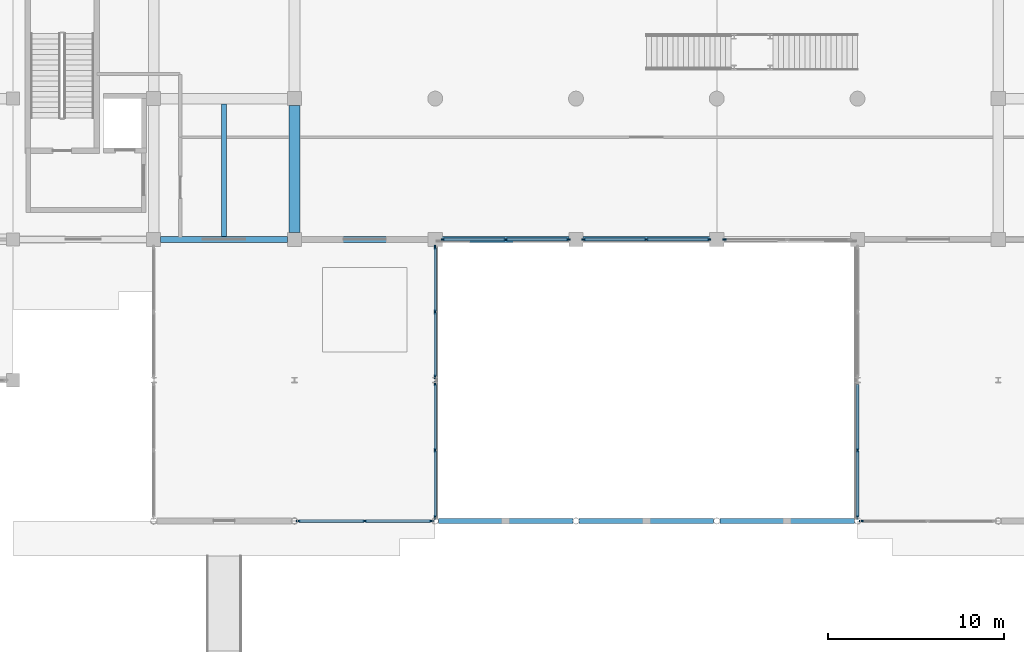
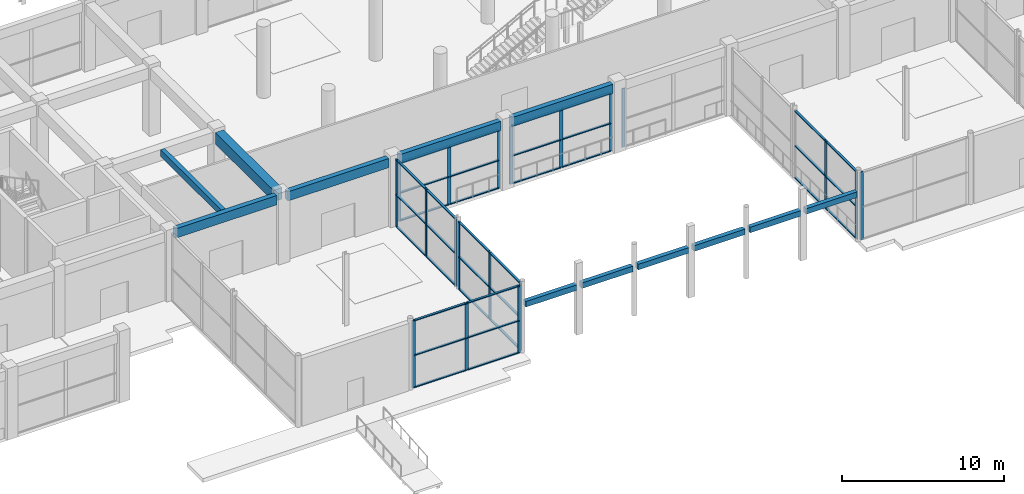
# One storey, part 18 of 86: 55 members, 12 beams, 8 elements without a shape of their own.
"""IFC4 building model written with IfcOpenShell, lengths in metres."""

from ifc_helpers import new_model, si_unit, direction, frame, origin, origin_2d, place, context, subcontext, project, spatial, rectangle, extrude, material, material_profile, profile_set, type_object, element, aggregate, save


model = new_model("IFC4")

# Units and contexts
model_context = context("Model", 3, precision=1e-05, world=origin(), true_north=direction((0.0, 1.0)))
body_context = subcontext(model_context, "Body", "Model", "MODEL_VIEW")
ifc_project = project(units=[si_unit("LENGTHUNIT", "METRE"), si_unit("AREAUNIT", "SQUARE_METRE"), si_unit("VOLUMEUNIT", "CUBIC_METRE"), si_unit("PLANEANGLEUNIT", "RADIAN"), si_unit("MASSUNIT", "GRAM", prefix="KILO")], contexts=[model_context])

# Site, building, storey
site_placement = place(None, origin())
site = spatial("IfcSite", under=ifc_project, at=site_placement, CompositionType="ELEMENT")
building_placement = place(site_placement, origin())
building = spatial("IfcBuilding", under=site, at=building_placement, Name="Kenh Van Central Station", CompositionType="ELEMENT")
storey_placement = place(building_placement, origin())
storey = spatial("IfcBuildingStorey", under=building, at=storey_placement, Name="L00", CompositionType="ELEMENT", Elevation=0.0)

# Beam
ifc_material_1 = material(Name="Concrete C35/45", Category="concrete")
ifc_material_profile_1 = material_profile(ifc_material_1, rectangle(XDim=0.60009765625, YDim=0.85009765625, at=origin_2d()), Name="RC 600x850")
ifc_profile_set_1 = profile_set([ifc_material_profile_1], Name="Concrete C35/45")
beam_type_1 = type_object("IfcBeamType", Name="BM-RC-600x850", PredefinedType="BEAM", material=ifc_profile_set_1)
beam_1_placement = place(storey_placement, frame((64.0, 16.389892578125, 4.695068359375), z_axis=(0.0, 1.0, 0.0), x_axis=(-1.0, 0.0, 0.0)))
element("IfcBeam", 1, at=beam_1_placement, inside=storey, type_object=beam_type_1, Name="L00 beam 0504", PredefinedType="BEAM", context=body_context, shape_type="SweptSolid", body=[
    extrude(rectangle(XDim=0.60009765625, YDim=0.85009765625, at=origin_2d()), origin(), (0.0, 0.0, 1.0), 7.22021484375),
])

# Curtain wall, members
ifc_material_2 = material(Name="Champagne anodised aluminium", Category="aluminium")
curtain_wall_type_1 = type_object("IfcCurtainWallType", Name="CW-RETL-A", PredefinedType="NOTDEFINED", material=ifc_material_2)
curtain_wall_1_placement = place(storey_placement, origin())
curtain_wall_1 = element("IfcCurtainWall", 2, at=curtain_wall_1_placement, inside=storey, type_object=curtain_wall_type_1, Name="L00 curtain wall 038", PredefinedType="NOTDEFINED")
ifc_material_profile_2 = material_profile(ifc_material_2, rectangle(XDim=0.0849609375, YDim=0.23193359375, at=origin_2d()), Name="AL 85x232")
ifc_profile_set_2 = profile_set([ifc_material_profile_2], Name="Champagne anodised aluminium")
member_type_1 = type_object("IfcMemberType", Name="CWM-65x160", PredefinedType="MULLION", material=ifc_profile_set_2)
member_1_placement = place(storey_placement, frame((64.22021484375, 0.0, 0.0), z_axis=(0.0, 0.0, 1.0), x_axis=(0.0, 1.0, 0.0)))
member_1 = element("IfcMember", 3, at=member_1_placement, type_object=member_type_1, Name="CW-05 mullion 1", PredefinedType="MULLION", context=body_context, shape_type="SweptSolid", body=[
    extrude(rectangle(XDim=0.0849609375, YDim=0.23193359375, at=origin_2d()), origin(), (0.0, 0.0, 1.0), 5.10009765625),
])
member_2_placement = place(storey_placement, frame((68.0, 0.0, 0.0), z_axis=(0.0, 0.0, 1.0), x_axis=(0.0, 1.0, 0.0)))
member_2 = element("IfcMember", 4, at=member_2_placement, type_object=member_type_1, Name="CW-05 mullion 2", PredefinedType="MULLION", context=body_context, shape_type="SweptSolid", body=[
    extrude(rectangle(XDim=0.0849609375, YDim=0.23193359375, at=origin_2d()), origin(), (0.0, 0.0, 1.0), 5.10009765625),
])
member_3_placement = place(storey_placement, frame((71.77978515625, 0.0, 0.0), z_axis=(0.0, 0.0, 1.0), x_axis=(0.0, 1.0, 0.0)))
member_3 = element("IfcMember", 5, at=member_3_placement, type_object=member_type_1, Name="CW-05 mullion 3", PredefinedType="MULLION", context=body_context, shape_type="SweptSolid", body=[
    extrude(rectangle(XDim=0.0849609375, YDim=0.23193359375, at=origin_2d()), origin(), (0.0, 0.0, 1.0), 5.10009765625),
])

curtain_wall_2_placement = place(storey_placement, origin())
curtain_wall_2 = element("IfcCurtainWall", 6, at=curtain_wall_2_placement, inside=storey, type_object=curtain_wall_type_1, Name="L00 curtain wall 041", PredefinedType="NOTDEFINED")
member_4_placement = place(storey_placement, frame((72.0, 0.22021484375, 0.0), z_axis=(0.0, 0.0, 1.0), x_axis=(-1.0, 0.0, 0.0)))
member_4 = element("IfcMember", 7, at=member_4_placement, type_object=member_type_1, Name="CW-05 mullion 1", PredefinedType="MULLION", context=body_context, shape_type="SweptSolid", body=[
    extrude(rectangle(XDim=0.0849609375, YDim=0.23193359375, at=origin_2d()), origin(), (0.0, 0.0, 1.0), 5.10009765625),
])
member_5_placement = place(storey_placement, frame((72.0, 4.013916015625, 0.0), z_axis=(0.0, 0.0, 1.0), x_axis=(-1.0, 0.0, 0.0)))
member_5 = element("IfcMember", 8, at=member_5_placement, type_object=member_type_1, Name="CW-05 mullion 2", PredefinedType="MULLION", context=body_context, shape_type="SweptSolid", body=[
    extrude(rectangle(XDim=0.0849609375, YDim=0.23193359375, at=origin_2d()), origin(), (0.0, 0.0, 1.0), 5.10009765625),
])
member_6_placement = place(storey_placement, frame((72.0, 7.8076171875, 0.0), z_axis=(0.0, 0.0, 1.0), x_axis=(-1.0, 0.0, 0.0)))
member_6 = element("IfcMember", 9, at=member_6_placement, type_object=member_type_1, Name="CW-05 mullion 3", PredefinedType="MULLION", context=body_context, shape_type="SweptSolid", body=[
    extrude(rectangle(XDim=0.0849609375, YDim=0.23193359375, at=origin_2d()), origin(), (0.0, 0.0, 1.0), 5.10009765625),
])

curtain_wall_3_placement = place(storey_placement, origin())
curtain_wall_3 = element("IfcCurtainWall", 10, at=curtain_wall_3_placement, inside=storey, type_object=curtain_wall_type_1, Name="L00 curtain wall 042", PredefinedType="NOTDEFINED")
member_7_placement = place(storey_placement, frame((72.0, 8.1923828125, 0.0), z_axis=(0.0, 0.0, 1.0), x_axis=(-1.0, 0.0, 0.0)))
member_7 = element("IfcMember", 11, at=member_7_placement, type_object=member_type_1, Name="CW-05 mullion 1", PredefinedType="MULLION", context=body_context, shape_type="SweptSolid", body=[
    extrude(rectangle(XDim=0.0849609375, YDim=0.23193359375, at=origin_2d()), origin(), (0.0, 0.0, 1.0), 5.10009765625),
])
member_8_placement = place(storey_placement, frame((72.0, 11.875, 0.0), z_axis=(0.0, 0.0, 1.0), x_axis=(-1.0, 0.0, 0.0)))
member_8 = element("IfcMember", 12, at=member_8_placement, type_object=member_type_1, Name="CW-05 mullion 2", PredefinedType="MULLION", context=body_context, shape_type="SweptSolid", body=[
    extrude(rectangle(XDim=0.0849609375, YDim=0.23193359375, at=origin_2d()), origin(), (0.0, 0.0, 1.0), 5.10009765625),
])
member_9_placement = place(storey_placement, frame((72.0, 15.5576171875, 0.0), z_axis=(0.0, 0.0, 1.0), x_axis=(-1.0, 0.0, 0.0)))
member_9 = element("IfcMember", 13, at=member_9_placement, type_object=member_type_1, Name="CW-05 mullion 3", PredefinedType="MULLION", context=body_context, shape_type="SweptSolid", body=[
    extrude(rectangle(XDim=0.0849609375, YDim=0.23193359375, at=origin_2d()), origin(), (0.0, 0.0, 1.0), 5.10009765625),
])

# Curtain wall, member
curtain_wall_4_placement = place(storey_placement, origin())
curtain_wall_4 = element("IfcCurtainWall", 14, at=curtain_wall_4_placement, inside=storey, type_object=curtain_wall_type_1, Name="L00 curtain wall 043", PredefinedType="NOTDEFINED")
member_10_placement = place(storey_placement, frame((96.22021484375, 0.0, 0.0), z_axis=(0.0, 0.0, 1.0), x_axis=(0.0, 1.0, 0.0)))
member_10 = element("IfcMember", 15, at=member_10_placement, type_object=member_type_1, Name="CW-05 mullion 1", PredefinedType="MULLION", context=body_context, shape_type="SweptSolid", body=[
    extrude(rectangle(XDim=0.0849609375, YDim=0.23193359375, at=origin_2d()), origin(), (0.0, 0.0, 1.0), 5.10009765625),
])
aggregate(curtain_wall_4, [member_10])

# Curtain wall, members
curtain_wall_5_placement = place(storey_placement, origin())
curtain_wall_5 = element("IfcCurtainWall", 16, at=curtain_wall_5_placement, inside=storey, type_object=curtain_wall_type_1, Name="L00 curtain wall 045", PredefinedType="NOTDEFINED")
member_11_placement = place(storey_placement, frame((96.0, 4.013916015625, 0.0), z_axis=(0.0, 0.0, 1.0), x_axis=(1.0, 0.0, 0.0)))
member_11 = element("IfcMember", 17, at=member_11_placement, type_object=member_type_1, Name="CW-05 mullion 2", PredefinedType="MULLION", context=body_context, shape_type="SweptSolid", body=[
    extrude(rectangle(XDim=0.0849609375, YDim=0.23193359375, at=origin_2d()), origin(), (0.0, 0.0, 1.0), 5.10009765625),
])
member_12_placement = place(storey_placement, frame((96.0, 0.22021484375, 0.0), z_axis=(0.0, 0.0, 1.0), x_axis=(1.0, 0.0, 0.0)))
member_12 = element("IfcMember", 18, at=member_12_placement, type_object=member_type_1, Name="CW-05 mullion 3", PredefinedType="MULLION", context=body_context, shape_type="SweptSolid", body=[
    extrude(rectangle(XDim=0.0849609375, YDim=0.23193359375, at=origin_2d()), origin(), (0.0, 0.0, 1.0), 5.10009765625),
])

curtain_wall_type_2 = type_object("IfcCurtainWallType", Name="CW-CONC-A", PredefinedType="NOTDEFINED", material=ifc_material_2)
curtain_wall_6_placement = place(storey_placement, origin())
curtain_wall_6 = element("IfcCurtainWall", 19, at=curtain_wall_6_placement, inside=storey, type_object=curtain_wall_type_2, Name="L00 curtain wall 022", PredefinedType="NOTDEFINED")
ifc_material_profile_3 = material_profile(ifc_material_2, rectangle(XDim=0.08203125, YDim=0.22509765625, at=origin_2d()), Name="AL 82x225")
ifc_profile_set_3 = profile_set([ifc_material_profile_3], Name="Champagne anodised aluminium")
member_type_2 = type_object("IfcMemberType", Name="CWM-70x180", PredefinedType="MULLION", material=ifc_profile_set_3)
member_13_placement = place(storey_placement, frame((72.44091796875, 16.0, 0.0), z_axis=(0.0, 0.0, 1.0), x_axis=(0.0, 1.0, 0.0)))
member_13 = element("IfcMember", 20, at=member_13_placement, type_object=member_type_2, Name="CW-03 mullion 1", PredefinedType="MULLION", context=body_context, shape_type="SweptSolid", body=[
    extrude(rectangle(XDim=0.08203125, YDim=0.22509765625, at=origin_2d()), origin(), (0.0, 0.0, 1.0), 4.419921875),
])
member_14_placement = place(storey_placement, frame((76.0, 16.0, 0.0), z_axis=(0.0, 0.0, 1.0), x_axis=(0.0, 1.0, 0.0)))
member_14 = element("IfcMember", 21, at=member_14_placement, type_object=member_type_2, Name="CW-03 mullion 2", PredefinedType="MULLION", context=body_context, shape_type="SweptSolid", body=[
    extrude(rectangle(XDim=0.08203125, YDim=0.22509765625, at=origin_2d()), origin(), (0.0, 0.0, 1.0), 4.419921875),
])
member_15_placement = place(storey_placement, frame((79.55908203125, 16.0, 0.0), z_axis=(0.0, 0.0, 1.0), x_axis=(0.0, 1.0, 0.0)))
member_15 = element("IfcMember", 22, at=member_15_placement, type_object=member_type_2, Name="CW-03 mullion 3", PredefinedType="MULLION", context=body_context, shape_type="SweptSolid", body=[
    extrude(rectangle(XDim=0.08203125, YDim=0.22509765625, at=origin_2d()), origin(), (0.0, 0.0, 1.0), 4.419921875),
])

curtain_wall_7_placement = place(storey_placement, origin())
curtain_wall_7 = element("IfcCurtainWall", 23, at=curtain_wall_7_placement, inside=storey, type_object=curtain_wall_type_2, Name="L00 curtain wall 023", PredefinedType="NOTDEFINED")
member_16_placement = place(storey_placement, frame((80.44091796875, 16.0, 0.0), z_axis=(0.0, 0.0, 1.0), x_axis=(0.0, 1.0, 0.0)))
member_16 = element("IfcMember", 24, at=member_16_placement, type_object=member_type_2, Name="CW-03 mullion 1", PredefinedType="MULLION", context=body_context, shape_type="SweptSolid", body=[
    extrude(rectangle(XDim=0.08203125, YDim=0.22509765625, at=origin_2d()), origin(), (0.0, 0.0, 1.0), 4.419921875),
])
member_17_placement = place(storey_placement, frame((84.0, 16.0, 0.0), z_axis=(0.0, 0.0, 1.0), x_axis=(0.0, 1.0, 0.0)))
member_17 = element("IfcMember", 25, at=member_17_placement, type_object=member_type_2, Name="CW-03 mullion 2", PredefinedType="MULLION", context=body_context, shape_type="SweptSolid", body=[
    extrude(rectangle(XDim=0.08203125, YDim=0.22509765625, at=origin_2d()), origin(), (0.0, 0.0, 1.0), 4.419921875),
])
member_18_placement = place(storey_placement, frame((87.55908203125, 16.0, 0.0), z_axis=(0.0, 0.0, 1.0), x_axis=(0.0, 1.0, 0.0)))
member_18 = element("IfcMember", 26, at=member_18_placement, type_object=member_type_2, Name="CW-03 mullion 3", PredefinedType="MULLION", context=body_context, shape_type="SweptSolid", body=[
    extrude(rectangle(XDim=0.08203125, YDim=0.22509765625, at=origin_2d()), origin(), (0.0, 0.0, 1.0), 4.419921875),
])

# Curtain wall, member
curtain_wall_8_placement = place(storey_placement, origin())
curtain_wall_8 = element("IfcCurtainWall", 27, at=curtain_wall_8_placement, inside=storey, type_object=curtain_wall_type_2, Name="L00 curtain wall 024", PredefinedType="NOTDEFINED")
member_19_placement = place(storey_placement, frame((88.44091796875, 16.0, 0.0), z_axis=(0.0, 0.0, 1.0), x_axis=(0.0, 1.0, 0.0)))
member_19 = element("IfcMember", 28, at=member_19_placement, type_object=member_type_2, Name="CW-03 mullion 1", PredefinedType="MULLION", context=body_context, shape_type="SweptSolid", body=[
    extrude(rectangle(XDim=0.08203125, YDim=0.22509765625, at=origin_2d()), origin(), (0.0, 0.0, 1.0), 4.419921875),
])
aggregate(curtain_wall_8, [member_19])

# Member
ifc_material_profile_4 = material_profile(ifc_material_2, rectangle(XDim=0.155029296875, YDim=0.072021484375, at=origin_2d()), Name="AL 155x72")
ifc_profile_set_4 = profile_set([ifc_material_profile_4], Name="Champagne anodised aluminium")
member_type_3 = type_object("IfcMemberType", Name="CWT-120x60", PredefinedType="USERDEFINED", material=ifc_profile_set_4)
member_20_placement = place(storey_placement, frame((72.48193359375, 16.0, 0.035888671875), z_axis=(1.0, 0.0, 0.0), x_axis=(0.0, 1.0, 0.0)))
member_20 = element("IfcMember", 29, at=member_20_placement, type_object=member_type_3, Name="CW-03 transom 1.1", ObjectType="TRANSOM", PredefinedType="USERDEFINED", context=body_context, shape_type="SweptSolid", body=[
    extrude(rectangle(XDim=0.155029296875, YDim=0.072021484375, at=origin_2d()), origin(), (0.0, 0.0, 1.0), 3.47705078125),
])

member_21_placement = place(storey_placement, frame((72.48193359375, 16.0, 2.12158203125), z_axis=(1.0, 0.0, 0.0), x_axis=(0.0, 1.0, 0.0)))
member_21 = element("IfcMember", 30, at=member_21_placement, type_object=member_type_3, Name="CW-03 transom 1.2", ObjectType="TRANSOM", PredefinedType="USERDEFINED", context=body_context, shape_type="SweptSolid", body=[
    extrude(rectangle(XDim=0.155029296875, YDim=0.072021484375, at=origin_2d()), origin(), (0.0, 0.0, 1.0), 3.47705078125),
])

member_22_placement = place(storey_placement, frame((72.48193359375, 16.0, 4.384033203125), z_axis=(1.0, 0.0, 0.0), x_axis=(0.0, 1.0, 0.0)))
member_22 = element("IfcMember", 31, at=member_22_placement, type_object=member_type_3, Name="CW-03 transom 1.3", ObjectType="TRANSOM", PredefinedType="USERDEFINED", context=body_context, shape_type="SweptSolid", body=[
    extrude(rectangle(XDim=0.155029296875, YDim=0.072021484375, at=origin_2d()), origin(), (0.0, 0.0, 1.0), 3.47705078125),
])

member_23_placement = place(storey_placement, frame((76.041015625, 16.0, 0.035888671875), z_axis=(1.0, 0.0, 0.0), x_axis=(0.0, 1.0, 0.0)))
member_23 = element("IfcMember", 32, at=member_23_placement, type_object=member_type_3, Name="CW-03 transom 2.1", ObjectType="TRANSOM", PredefinedType="USERDEFINED", context=body_context, shape_type="SweptSolid", body=[
    extrude(rectangle(XDim=0.155029296875, YDim=0.072021484375, at=origin_2d()), origin(), (0.0, 0.0, 1.0), 3.47705078125),
])

member_24_placement = place(storey_placement, frame((76.041015625, 16.0, 2.12158203125), z_axis=(1.0, 0.0, 0.0), x_axis=(0.0, 1.0, 0.0)))
member_24 = element("IfcMember", 33, at=member_24_placement, type_object=member_type_3, Name="CW-03 transom 2.2", ObjectType="TRANSOM", PredefinedType="USERDEFINED", context=body_context, shape_type="SweptSolid", body=[
    extrude(rectangle(XDim=0.155029296875, YDim=0.072021484375, at=origin_2d()), origin(), (0.0, 0.0, 1.0), 3.47705078125),
])

member_25_placement = place(storey_placement, frame((76.041015625, 16.0, 4.384033203125), z_axis=(1.0, 0.0, 0.0), x_axis=(0.0, 1.0, 0.0)))
member_25 = element("IfcMember", 34, at=member_25_placement, type_object=member_type_3, Name="CW-03 transom 2.3", ObjectType="TRANSOM", PredefinedType="USERDEFINED", context=body_context, shape_type="SweptSolid", body=[
    extrude(rectangle(XDim=0.155029296875, YDim=0.072021484375, at=origin_2d()), origin(), (0.0, 0.0, 1.0), 3.47705078125),
])

aggregate(curtain_wall_6, [member_13, member_14, member_15, member_20, member_21, member_22, member_23, member_24, member_25])

member_26_placement = place(storey_placement, frame((80.48193359375, 16.0, 0.035888671875), z_axis=(1.0, 0.0, 0.0), x_axis=(0.0, 1.0, 0.0)))
member_26 = element("IfcMember", 35, at=member_26_placement, type_object=member_type_3, Name="CW-03 transom 1.1", ObjectType="TRANSOM", PredefinedType="USERDEFINED", context=body_context, shape_type="SweptSolid", body=[
    extrude(rectangle(XDim=0.155029296875, YDim=0.072021484375, at=origin_2d()), origin(), (0.0, 0.0, 1.0), 3.47705078125),
])

member_27_placement = place(storey_placement, frame((80.48193359375, 16.0, 2.12158203125), z_axis=(1.0, 0.0, 0.0), x_axis=(0.0, 1.0, 0.0)))
member_27 = element("IfcMember", 36, at=member_27_placement, type_object=member_type_3, Name="CW-03 transom 1.2", ObjectType="TRANSOM", PredefinedType="USERDEFINED", context=body_context, shape_type="SweptSolid", body=[
    extrude(rectangle(XDim=0.155029296875, YDim=0.072021484375, at=origin_2d()), origin(), (0.0, 0.0, 1.0), 3.47705078125),
])

member_28_placement = place(storey_placement, frame((80.48193359375, 16.0, 4.384033203125), z_axis=(1.0, 0.0, 0.0), x_axis=(0.0, 1.0, 0.0)))
member_28 = element("IfcMember", 37, at=member_28_placement, type_object=member_type_3, Name="CW-03 transom 1.3", ObjectType="TRANSOM", PredefinedType="USERDEFINED", context=body_context, shape_type="SweptSolid", body=[
    extrude(rectangle(XDim=0.155029296875, YDim=0.072021484375, at=origin_2d()), origin(), (0.0, 0.0, 1.0), 3.47705078125),
])

member_29_placement = place(storey_placement, frame((84.041015625, 16.0, 0.035888671875), z_axis=(1.0, 0.0, 0.0), x_axis=(0.0, 1.0, 0.0)))
member_29 = element("IfcMember", 38, at=member_29_placement, type_object=member_type_3, Name="CW-03 transom 2.1", ObjectType="TRANSOM", PredefinedType="USERDEFINED", context=body_context, shape_type="SweptSolid", body=[
    extrude(rectangle(XDim=0.155029296875, YDim=0.072021484375, at=origin_2d()), origin(), (0.0, 0.0, 1.0), 3.47705078125),
])

member_30_placement = place(storey_placement, frame((84.041015625, 16.0, 2.12158203125), z_axis=(1.0, 0.0, 0.0), x_axis=(0.0, 1.0, 0.0)))
member_30 = element("IfcMember", 39, at=member_30_placement, type_object=member_type_3, Name="CW-03 transom 2.2", ObjectType="TRANSOM", PredefinedType="USERDEFINED", context=body_context, shape_type="SweptSolid", body=[
    extrude(rectangle(XDim=0.155029296875, YDim=0.072021484375, at=origin_2d()), origin(), (0.0, 0.0, 1.0), 3.47705078125),
])

member_31_placement = place(storey_placement, frame((84.041015625, 16.0, 4.384033203125), z_axis=(1.0, 0.0, 0.0), x_axis=(0.0, 1.0, 0.0)))
member_31 = element("IfcMember", 40, at=member_31_placement, type_object=member_type_3, Name="CW-03 transom 2.3", ObjectType="TRANSOM", PredefinedType="USERDEFINED", context=body_context, shape_type="SweptSolid", body=[
    extrude(rectangle(XDim=0.155029296875, YDim=0.072021484375, at=origin_2d()), origin(), (0.0, 0.0, 1.0), 3.47705078125),
])

aggregate(curtain_wall_7, [member_16, member_17, member_18, member_26, member_27, member_28, member_29, member_30, member_31])

member_32_placement = place(storey_placement, frame((64.2626953125, 0.0, 0.035888671875), z_axis=(1.0, 0.0, 0.0), x_axis=(0.0, 1.0, 0.0)))
member_32 = element("IfcMember", 41, at=member_32_placement, type_object=member_type_3, Name="CW-05 transom 1.1", ObjectType="TRANSOM", PredefinedType="USERDEFINED", context=body_context, shape_type="SweptSolid", body=[
    extrude(rectangle(XDim=0.155029296875, YDim=0.072021484375, at=origin_2d()), origin(), (0.0, 0.0, 1.0), 3.69482421875),
])

member_33_placement = place(storey_placement, frame((64.2626953125, 0.0, 2.447998046875), z_axis=(1.0, 0.0, 0.0), x_axis=(0.0, 1.0, 0.0)))
member_33 = element("IfcMember", 42, at=member_33_placement, type_object=member_type_3, Name="CW-05 transom 1.2", ObjectType="TRANSOM", PredefinedType="USERDEFINED", context=body_context, shape_type="SweptSolid", body=[
    extrude(rectangle(XDim=0.155029296875, YDim=0.072021484375, at=origin_2d()), origin(), (0.0, 0.0, 1.0), 3.69482421875),
])

member_34_placement = place(storey_placement, frame((64.2626953125, 0.0, 5.06396484375), z_axis=(1.0, 0.0, 0.0), x_axis=(0.0, 1.0, 0.0)))
member_34 = element("IfcMember", 43, at=member_34_placement, type_object=member_type_3, Name="CW-05 transom 1.3", ObjectType="TRANSOM", PredefinedType="USERDEFINED", context=body_context, shape_type="SweptSolid", body=[
    extrude(rectangle(XDim=0.155029296875, YDim=0.072021484375, at=origin_2d()), origin(), (0.0, 0.0, 1.0), 3.69482421875),
])

member_35_placement = place(storey_placement, frame((68.04248046875, 0.0, 0.035888671875), z_axis=(1.0, 0.0, 0.0), x_axis=(0.0, 1.0, 0.0)))
member_35 = element("IfcMember", 44, at=member_35_placement, type_object=member_type_3, Name="CW-05 transom 2.1", ObjectType="TRANSOM", PredefinedType="USERDEFINED", context=body_context, shape_type="SweptSolid", body=[
    extrude(rectangle(XDim=0.155029296875, YDim=0.072021484375, at=origin_2d()), origin(), (0.0, 0.0, 1.0), 3.69482421875),
])

member_36_placement = place(storey_placement, frame((68.04248046875, 0.0, 2.447998046875), z_axis=(1.0, 0.0, 0.0), x_axis=(0.0, 1.0, 0.0)))
member_36 = element("IfcMember", 45, at=member_36_placement, type_object=member_type_3, Name="CW-05 transom 2.2", ObjectType="TRANSOM", PredefinedType="USERDEFINED", context=body_context, shape_type="SweptSolid", body=[
    extrude(rectangle(XDim=0.155029296875, YDim=0.072021484375, at=origin_2d()), origin(), (0.0, 0.0, 1.0), 3.69482421875),
])

member_37_placement = place(storey_placement, frame((68.04248046875, 0.0, 5.06396484375), z_axis=(1.0, 0.0, 0.0), x_axis=(0.0, 1.0, 0.0)))
member_37 = element("IfcMember", 46, at=member_37_placement, type_object=member_type_3, Name="CW-05 transom 2.3", ObjectType="TRANSOM", PredefinedType="USERDEFINED", context=body_context, shape_type="SweptSolid", body=[
    extrude(rectangle(XDim=0.155029296875, YDim=0.072021484375, at=origin_2d()), origin(), (0.0, 0.0, 1.0), 3.69482421875),
])

aggregate(curtain_wall_1, [member_1, member_2, member_3, member_32, member_33, member_34, member_35, member_36, member_37])

member_38_placement = place(storey_placement, frame((72.0, 0.2626953125, 0.035888671875), z_axis=(0.0, 1.0, 0.0), x_axis=(-1.0, 0.0, 0.0)))
member_38 = element("IfcMember", 47, at=member_38_placement, type_object=member_type_3, Name="CW-05 transom 1.1", ObjectType="TRANSOM", PredefinedType="USERDEFINED", context=body_context, shape_type="SweptSolid", body=[
    extrude(rectangle(XDim=0.155029296875, YDim=0.072021484375, at=origin_2d()), origin(), (0.0, 0.0, 1.0), 3.708740234375),
])

member_39_placement = place(storey_placement, frame((72.0, 0.2626953125, 2.447998046875), z_axis=(0.0, 1.0, 0.0), x_axis=(-1.0, 0.0, 0.0)))
member_39 = element("IfcMember", 48, at=member_39_placement, type_object=member_type_3, Name="CW-05 transom 1.2", ObjectType="TRANSOM", PredefinedType="USERDEFINED", context=body_context, shape_type="SweptSolid", body=[
    extrude(rectangle(XDim=0.155029296875, YDim=0.072021484375, at=origin_2d()), origin(), (0.0, 0.0, 1.0), 3.708740234375),
])

member_40_placement = place(storey_placement, frame((72.0, 0.2626953125, 5.06396484375), z_axis=(0.0, 1.0, 0.0), x_axis=(-1.0, 0.0, 0.0)))
member_40 = element("IfcMember", 49, at=member_40_placement, type_object=member_type_3, Name="CW-05 transom 1.3", ObjectType="TRANSOM", PredefinedType="USERDEFINED", context=body_context, shape_type="SweptSolid", body=[
    extrude(rectangle(XDim=0.155029296875, YDim=0.072021484375, at=origin_2d()), origin(), (0.0, 0.0, 1.0), 3.708740234375),
])

member_41_placement = place(storey_placement, frame((72.0, 4.056396484375, 0.035888671875), z_axis=(0.0, 1.0, 0.0), x_axis=(-1.0, 0.0, 0.0)))
member_41 = element("IfcMember", 50, at=member_41_placement, type_object=member_type_3, Name="CW-05 transom 2.1", ObjectType="TRANSOM", PredefinedType="USERDEFINED", context=body_context, shape_type="SweptSolid", body=[
    extrude(rectangle(XDim=0.155029296875, YDim=0.072021484375, at=origin_2d()), origin(), (0.0, 0.0, 1.0), 3.70849609375),
])

member_42_placement = place(storey_placement, frame((72.0, 4.056396484375, 2.447998046875), z_axis=(0.0, 1.0, 0.0), x_axis=(-1.0, 0.0, 0.0)))
member_42 = element("IfcMember", 51, at=member_42_placement, type_object=member_type_3, Name="CW-05 transom 2.2", ObjectType="TRANSOM", PredefinedType="USERDEFINED", context=body_context, shape_type="SweptSolid", body=[
    extrude(rectangle(XDim=0.155029296875, YDim=0.072021484375, at=origin_2d()), origin(), (0.0, 0.0, 1.0), 3.70849609375),
])

member_43_placement = place(storey_placement, frame((72.0, 4.056396484375, 5.06396484375), z_axis=(0.0, 1.0, 0.0), x_axis=(-1.0, 0.0, 0.0)))
member_43 = element("IfcMember", 52, at=member_43_placement, type_object=member_type_3, Name="CW-05 transom 2.3", ObjectType="TRANSOM", PredefinedType="USERDEFINED", context=body_context, shape_type="SweptSolid", body=[
    extrude(rectangle(XDim=0.155029296875, YDim=0.072021484375, at=origin_2d()), origin(), (0.0, 0.0, 1.0), 3.70849609375),
])

aggregate(curtain_wall_2, [member_4, member_5, member_6, member_38, member_39, member_40, member_41, member_42, member_43])

member_44_placement = place(storey_placement, frame((72.0, 8.235107421875, 0.035888671875), z_axis=(0.0, 1.0, 0.0), x_axis=(-1.0, 0.0, 0.0)))
member_44 = element("IfcMember", 53, at=member_44_placement, type_object=member_type_3, Name="CW-05 transom 1.1", ObjectType="TRANSOM", PredefinedType="USERDEFINED", context=body_context, shape_type="SweptSolid", body=[
    extrude(rectangle(XDim=0.155029296875, YDim=0.072021484375, at=origin_2d()), origin(), (0.0, 0.0, 1.0), 3.597412109375),
])

member_45_placement = place(storey_placement, frame((72.0, 8.235107421875, 2.447998046875), z_axis=(0.0, 1.0, 0.0), x_axis=(-1.0, 0.0, 0.0)))
member_45 = element("IfcMember", 54, at=member_45_placement, type_object=member_type_3, Name="CW-05 transom 1.2", ObjectType="TRANSOM", PredefinedType="USERDEFINED", context=body_context, shape_type="SweptSolid", body=[
    extrude(rectangle(XDim=0.155029296875, YDim=0.072021484375, at=origin_2d()), origin(), (0.0, 0.0, 1.0), 3.597412109375),
])

member_46_placement = place(storey_placement, frame((72.0, 8.235107421875, 5.06396484375), z_axis=(0.0, 1.0, 0.0), x_axis=(-1.0, 0.0, 0.0)))
member_46 = element("IfcMember", 55, at=member_46_placement, type_object=member_type_3, Name="CW-05 transom 1.3", ObjectType="TRANSOM", PredefinedType="USERDEFINED", context=body_context, shape_type="SweptSolid", body=[
    extrude(rectangle(XDim=0.155029296875, YDim=0.072021484375, at=origin_2d()), origin(), (0.0, 0.0, 1.0), 3.597412109375),
])

member_47_placement = place(storey_placement, frame((72.0, 11.91748046875, 0.035888671875), z_axis=(0.0, 1.0, 0.0), x_axis=(-1.0, 0.0, 0.0)))
member_47 = element("IfcMember", 56, at=member_47_placement, type_object=member_type_3, Name="CW-05 transom 2.1", ObjectType="TRANSOM", PredefinedType="USERDEFINED", context=body_context, shape_type="SweptSolid", body=[
    extrude(rectangle(XDim=0.155029296875, YDim=0.072021484375, at=origin_2d()), origin(), (0.0, 0.0, 1.0), 3.597412109375),
])

member_48_placement = place(storey_placement, frame((72.0, 11.91748046875, 2.447998046875), z_axis=(0.0, 1.0, 0.0), x_axis=(-1.0, 0.0, 0.0)))
member_48 = element("IfcMember", 57, at=member_48_placement, type_object=member_type_3, Name="CW-05 transom 2.2", ObjectType="TRANSOM", PredefinedType="USERDEFINED", context=body_context, shape_type="SweptSolid", body=[
    extrude(rectangle(XDim=0.155029296875, YDim=0.072021484375, at=origin_2d()), origin(), (0.0, 0.0, 1.0), 3.597412109375),
])

member_49_placement = place(storey_placement, frame((72.0, 11.91748046875, 5.06396484375), z_axis=(0.0, 1.0, 0.0), x_axis=(-1.0, 0.0, 0.0)))
member_49 = element("IfcMember", 58, at=member_49_placement, type_object=member_type_3, Name="CW-05 transom 2.3", ObjectType="TRANSOM", PredefinedType="USERDEFINED", context=body_context, shape_type="SweptSolid", body=[
    extrude(rectangle(XDim=0.155029296875, YDim=0.072021484375, at=origin_2d()), origin(), (0.0, 0.0, 1.0), 3.597412109375),
])

aggregate(curtain_wall_3, [member_7, member_8, member_9, member_44, member_45, member_46, member_47, member_48, member_49])

member_50_placement = place(storey_placement, frame((96.0, 7.764892578125, 0.035888671875), z_axis=(0.0, -1.0, 0.0), x_axis=(1.0, 0.0, 0.0)))
member_50 = element("IfcMember", 59, at=member_50_placement, type_object=member_type_3, Name="CW-05 transom 1.1", ObjectType="TRANSOM", PredefinedType="USERDEFINED", context=body_context, shape_type="SweptSolid", body=[
    extrude(rectangle(XDim=0.155029296875, YDim=0.072021484375, at=origin_2d()), origin(), (0.0, 0.0, 1.0), 3.70849609375),
])

member_51_placement = place(storey_placement, frame((96.0, 7.764892578125, 2.447998046875), z_axis=(0.0, -1.0, 0.0), x_axis=(1.0, 0.0, 0.0)))
member_51 = element("IfcMember", 60, at=member_51_placement, type_object=member_type_3, Name="CW-05 transom 1.2", ObjectType="TRANSOM", PredefinedType="USERDEFINED", context=body_context, shape_type="SweptSolid", body=[
    extrude(rectangle(XDim=0.155029296875, YDim=0.072021484375, at=origin_2d()), origin(), (0.0, 0.0, 1.0), 3.70849609375),
])

member_52_placement = place(storey_placement, frame((96.0, 7.764892578125, 5.06396484375), z_axis=(0.0, -1.0, 0.0), x_axis=(1.0, 0.0, 0.0)))
member_52 = element("IfcMember", 61, at=member_52_placement, type_object=member_type_3, Name="CW-05 transom 1.3", ObjectType="TRANSOM", PredefinedType="USERDEFINED", context=body_context, shape_type="SweptSolid", body=[
    extrude(rectangle(XDim=0.155029296875, YDim=0.072021484375, at=origin_2d()), origin(), (0.0, 0.0, 1.0), 3.70849609375),
])

member_53_placement = place(storey_placement, frame((96.0, 3.971435546875, 0.035888671875), z_axis=(0.0, -1.0, 0.0), x_axis=(1.0, 0.0, 0.0)))
member_53 = element("IfcMember", 62, at=member_53_placement, type_object=member_type_3, Name="CW-05 transom 2.1", ObjectType="TRANSOM", PredefinedType="USERDEFINED", context=body_context, shape_type="SweptSolid", body=[
    extrude(rectangle(XDim=0.155029296875, YDim=0.072021484375, at=origin_2d()), origin(), (0.0, 0.0, 1.0), 3.708740234375),
])

member_54_placement = place(storey_placement, frame((96.0, 3.971435546875, 2.447998046875), z_axis=(0.0, -1.0, 0.0), x_axis=(1.0, 0.0, 0.0)))
member_54 = element("IfcMember", 63, at=member_54_placement, type_object=member_type_3, Name="CW-05 transom 2.2", ObjectType="TRANSOM", PredefinedType="USERDEFINED", context=body_context, shape_type="SweptSolid", body=[
    extrude(rectangle(XDim=0.155029296875, YDim=0.072021484375, at=origin_2d()), origin(), (0.0, 0.0, 1.0), 3.708740234375),
])

member_55_placement = place(storey_placement, frame((96.0, 3.971435546875, 5.06396484375), z_axis=(0.0, -1.0, 0.0), x_axis=(1.0, 0.0, 0.0)))
member_55 = element("IfcMember", 64, at=member_55_placement, type_object=member_type_3, Name="CW-05 transom 2.3", ObjectType="TRANSOM", PredefinedType="USERDEFINED", context=body_context, shape_type="SweptSolid", body=[
    extrude(rectangle(XDim=0.155029296875, YDim=0.072021484375, at=origin_2d()), origin(), (0.0, 0.0, 1.0), 3.708740234375),
])

aggregate(curtain_wall_5, [member_11, member_12, member_50, member_51, member_52, member_53, member_54, member_55])

# Beams
ifc_material_profile_5 = material_profile(ifc_material_1, rectangle(XDim=0.300048828125, YDim=0.5, at=origin_2d()), Name="RC 300x500")
ifc_profile_set_5 = profile_set([ifc_material_profile_5], Name="Concrete C35/45")
beam_type_2 = type_object("IfcBeamType", Name="JST-RC-300x500", PredefinedType="JOIST", material=ifc_profile_set_5)
beam_2_placement = place(storey_placement, frame((60.0, 16.175048828125, 4.8701171875), z_axis=(0.0, 1.0, 0.0), x_axis=(-1.0, 0.0, 0.0)))
element("IfcBeam", 65, at=beam_2_placement, inside=storey, type_object=beam_type_2, Name="L00 floor joist 0598", PredefinedType="JOIST", context=body_context, shape_type="SweptSolid", body=[
    extrude(rectangle(XDim=0.300048828125, YDim=0.5, at=origin_2d()), origin(), (0.0, 0.0, 1.0), 7.52490234375),
])
ifc_material_profile_6 = material_profile(ifc_material_1, rectangle(XDim=0.300048828125, YDim=0.419921875, at=origin_2d()), Name="RC 300x420")
ifc_profile_set_6 = profile_set([ifc_material_profile_6], Name="Concrete C35/45")
beam_type_3 = type_object("IfcBeamType", Name="LIN-RC-300x420", PredefinedType="LINTEL", material=ifc_profile_set_6)
for number, where, z_axis, x_axis, name in (
    (66, (72.179931640625, 0.0, 3.590087890625), (1.0, 0.0, 0.0), (0.0, 1.0, 0.0), "Forecourt colonnade lintel 015"),
    (67, (76.179931640625, 0.0, 3.590087890625), (1.0, 0.0, 0.0), (0.0, 1.0, 0.0), "Forecourt colonnade lintel 016"),
    (68, (80.179931640625, 0.0, 3.590087890625), (1.0, 0.0, 0.0), (0.0, 1.0, 0.0), "Forecourt colonnade lintel 017"),
    (69, (84.179931640625, 0.0, 3.590087890625), (1.0, 0.0, 0.0), (0.0, 1.0, 0.0), "Forecourt colonnade lintel 018"),
    (70, (88.179931640625, 0.0, 3.590087890625), (1.0, 0.0, 0.0), (0.0, 1.0, 0.0), "Forecourt colonnade lintel 019"),
    (71, (92.179931640625, 0.0, 3.590087890625), (1.0, 0.0, 0.0), (0.0, 1.0, 0.0), "Forecourt colonnade lintel 020"),
):
    element("IfcBeam", number, at=place(storey_placement, frame(where, z_axis=z_axis, x_axis=x_axis)), inside=storey, type_object=beam_type_3, Name=name, PredefinedType="LINTEL", context=body_context, shape_type="SweptSolid", body=[
        extrude(rectangle(XDim=0.300048828125, YDim=0.419921875, at=origin_2d()), origin(), (0.0, 0.0, 1.0), 3.64013671875),
    ])
ifc_material_profile_7 = material_profile(ifc_material_1, rectangle(XDim=0.35009765625, YDim=0.699951171875, at=origin_2d()), Name="RC 350x700")
ifc_profile_set_7 = profile_set([ifc_material_profile_7], Name="Concrete C35/45")
beam_type_4 = type_object("IfcBeamType", Name="SPD-RC-350x700", PredefinedType="SPANDREL", material=ifc_profile_set_7)
for number, where, z_axis, x_axis, name in (
    (72, (56.389892578125, 16.0, 4.77001953125), (1.0, 0.0, 0.0), (0.0, 1.0, 0.0), "L00 beam 0365"),
    (73, (64.389892578125, 16.0, 4.77001953125), (1.0, 0.0, 0.0), (0.0, 1.0, 0.0), "L00 beam 0366"),
    (74, (72.389892578125, 16.0, 4.77001953125), (1.0, 0.0, 0.0), (0.0, 1.0, 0.0), "L00 beam 0367"),
    (75, (80.389892578125, 16.0, 4.77001953125), (1.0, 0.0, 0.0), (0.0, 1.0, 0.0), "L00 beam 0368"),
):
    element("IfcBeam", number, at=place(storey_placement, frame(where, z_axis=z_axis, x_axis=x_axis)), inside=storey, type_object=beam_type_4, Name=name, PredefinedType="SPANDREL", context=body_context, shape_type="SweptSolid", body=[
        extrude(rectangle(XDim=0.35009765625, YDim=0.699951171875, at=origin_2d()), origin(), (0.0, 0.0, 1.0), 7.22021484375),
    ])

save(model, "model.ifc")
